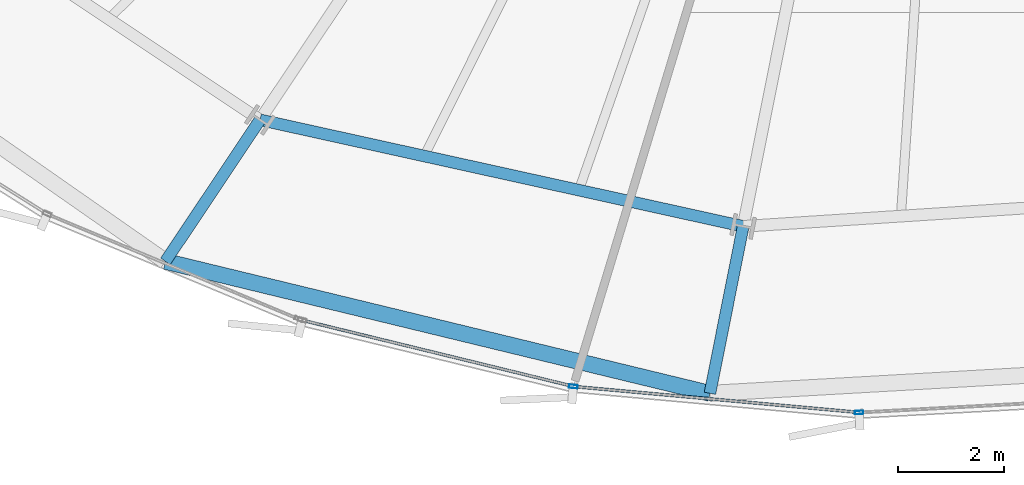
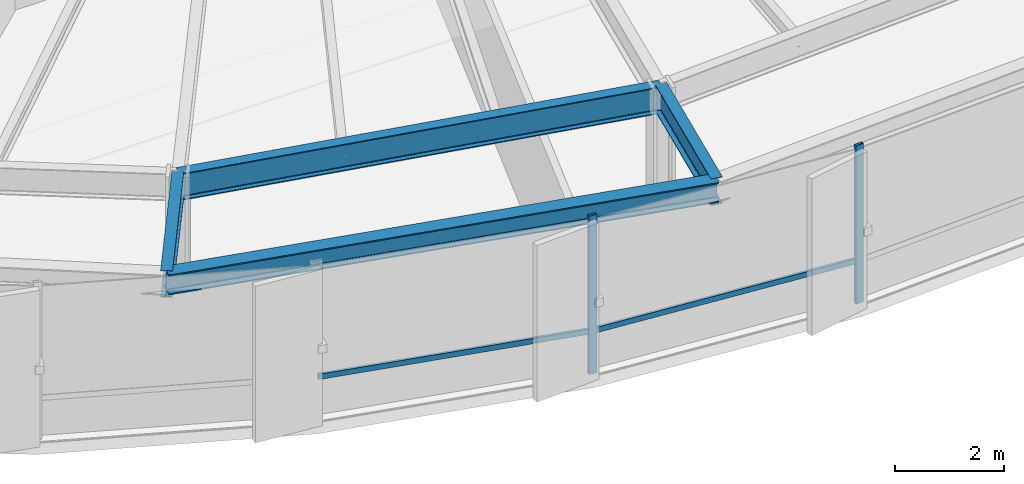
# One storey, part 5 of 37: 4 beams, 4 members, 1 element without a shape of its own.
"""IFC4 building model written with IfcOpenShell, lengths in metres."""

from ifc_helpers import new_model, si_unit, direction, frame, origin, origin_2d, place, context, subcontext, project, spatial, hollow_rectangle, i_section, extrude, source, transform, mapped, material, layer, layer_set, material_profile, profile_set, type_object, element, aggregate, save


model = new_model("IFC4")

# Units and contexts
model_context = context("Model", 3, precision=1e-05, world=origin(), true_north=direction((0.0, 1.0)))
body_context = subcontext(model_context, "Body", "Model", "MODEL_VIEW")
ifc_project = project(units=[si_unit("LENGTHUNIT", "METRE"), si_unit("AREAUNIT", "SQUARE_METRE"), si_unit("VOLUMEUNIT", "CUBIC_METRE"), si_unit("PLANEANGLEUNIT", "RADIAN"), si_unit("MASSUNIT", "GRAM", prefix="KILO"), si_unit("THERMODYNAMICTEMPERATUREUNIT", "KELVIN")], contexts=[model_context])

# Site, building, storey
site_placement = place(None, origin())
site = spatial("IfcSite", under=ifc_project, at=site_placement, CompositionType="ELEMENT")
building_placement = place(site_placement, origin())
building = spatial("IfcBuilding", under=site, at=building_placement, Name="Kethvar Cultural Tower", CompositionType="ELEMENT")
storey_placement = place(building_placement, frame((0.0, 0.0, 60.0)))
storey = spatial("IfcBuildingStorey", under=building, at=storey_placement, Name="L14", CompositionType="ELEMENT", Elevation=60.0)

# Beams
ifc_material_1 = material(Name="Steel S355J2", Category="steel")
ifc_material_profile_1 = material_profile(ifc_material_1, i_section(OverallWidth=0.219970703125, OverallDepth=0.60009765625, WebThickness=0.011962890625, FlangeThickness=0.01904296875, FilletRadius=0.02392578125, at=origin_2d()), Name="Steel S355J2 — IPE600")
ifc_profile_set_1 = profile_set([ifc_material_profile_1], Name="Steel S355J2 — IPE600")
beam_type_1 = type_object("IfcBeamType", Name="BM-IPE600", PredefinedType="BEAM", material=ifc_profile_set_1)
shared_shape_1 = source(origin(), body_context, "Body", "SweptSolid", [
    extrude(i_section(OverallWidth=0.219970703125, OverallDepth=0.60009765625, WebThickness=0.011962890625, FlangeThickness=0.01904296875, FilletRadius=0.02392578125, at=origin_2d()), origin(), (0.0, 0.0, 1.0), 3.2001953125),
])
beam_1_placement = place(storey_placement, frame((42.38330078125, 5.59619140625, 3.248046875), z_axis=(-0.195074368086, -0.980788453702, 0.0), x_axis=(0.980788453702, -0.195074368086, 0.0)))
element("IfcBeam", 1, at=beam_1_placement, inside=storey, type_object=beam_type_1, Name="L14 Perimeter Cantilever Beam RC-12", PredefinedType="BEAM", context=body_context, shape_type="MappedRepresentation", body=[
    mapped(shared_shape_1, transform((0.0, 0.0, 0.0), scale=1.0)),
])
shared_shape_2 = source(origin(), body_context, "Body", "SweptSolid", [
    extrude(i_section(OverallWidth=0.219970703125, OverallDepth=0.60009765625, WebThickness=0.011962890625, FlangeThickness=0.01904296875, FilletRadius=0.02392578125, at=origin_2d()), origin(), (0.0, 0.0, 1.0), 3.199951171875),
])
beam_2_placement = place(storey_placement, frame((33.302001953125, 7.598876953125, 3.248046875), z_axis=(-0.555580212716, -0.831462943996, 0.0), x_axis=(0.831462943996, -0.555580212716, 0.0)))
element("IfcBeam", 2, at=beam_2_placement, inside=storey, type_object=beam_type_1, Name="L14 Perimeter Cantilever Beam RC-11", PredefinedType="BEAM", context=body_context, shape_type="MappedRepresentation", body=[
    mapped(shared_shape_2, transform((0.0, 0.0, 0.0), scale=1.0)),
])
shared_shape_3 = source(origin(), body_context, "Body", "SweptSolid", [
    extrude(i_section(OverallWidth=0.219970703125, OverallDepth=0.60009765625, WebThickness=0.011962890625, FlangeThickness=0.01904296875, FilletRadius=0.02392578125, at=origin_2d()), origin(), (0.0, 0.0, 1.0), 9.299560546875),
])
beam_3_placement = place(storey_placement, frame((33.302001953125, 7.598876953125, 3.248046875), z_axis=(0.976536034872, -0.21535406334, 0.0), x_axis=(0.21535406334, 0.976536034872, 0.0)))
element("IfcBeam", 3, at=beam_3_placement, inside=storey, type_object=beam_type_1, Name="L14 Column Ring Tie Beam CR-11", PredefinedType="BEAM", context=body_context, shape_type="MappedRepresentation", body=[
    mapped(shared_shape_3, transform((0.0, 0.0, 0.0), scale=1.0)),
])
ifc_material_profile_2 = material_profile(ifc_material_1, i_section(OverallWidth=0.300048828125, OverallDepth=0.449951171875, WebThickness=0.013916015625, FlangeThickness=0.02587890625, FilletRadius=0.027099609375, at=origin_2d()), Name="Steel S355J2 — HEB450")
ifc_profile_set_2 = profile_set([ifc_material_profile_2], Name="Steel S355J2 — HEB450")
beam_type_2 = type_object("IfcBeamType", Name="BM-SP450", PredefinedType="SPANDREL", material=ifc_profile_set_2)
shared_shape_4 = source(origin(), body_context, "Body", "SweptSolid", [
    extrude(i_section(OverallWidth=0.300048828125, OverallDepth=0.449951171875, WebThickness=0.013916015625, FlangeThickness=0.02587890625, FilletRadius=0.027099609375, at=origin_2d()), origin(), (0.0, 0.0, 1.0), 10.53125),
])
beam_4_placement = place(storey_placement, frame((31.524169921875, 4.938232421875, 3.322998046875), z_axis=(0.971860238373, -0.235558224372, 0.0), x_axis=(0.235558224372, 0.971860238373, 0.0)))
element("IfcBeam", 4, at=beam_4_placement, inside=storey, type_object=beam_type_2, Name="L14 Perimeter Spandrel Beam SP-11", PredefinedType="SPANDREL", context=body_context, shape_type="MappedRepresentation", body=[
    mapped(shared_shape_4, transform((0.0, 0.0, 0.0), scale=1.0)),
])

# Curtain wall, members
ifc_material_2 = material(Name="Aluminium 6063-T6", Category="aluminium")
ifc_layer = layer(ifc_material_2, 0.179931640625, Name="Aluminium 6063-T6", Category="aluminium")
ifc_layer_set = layer_set([ifc_layer], Name="Aluminium 6063-T6 (180 mm)")
curtain_wall_type = type_object("IfcCurtainWallType", Name="CW-SYS-02-Z1", PredefinedType="NOTDEFINED", material=ifc_layer_set)
curtain_wall_placement = place(storey_placement, origin())
curtain_wall = element("IfcCurtainWall", 5, at=curtain_wall_placement, inside=storey, type_object=curtain_wall_type, Name="L14 Curtain Wall Run 05", PredefinedType="NOTDEFINED")
ifc_material_profile_3 = material_profile(ifc_material_2, hollow_rectangle(XDim=0.06494140625, YDim=0.159912109375, WallThickness=0.0048828125, at=origin_2d()), Name="Aluminium 6063-T6 — RHS160x65x5")
ifc_profile_set_3 = profile_set([ifc_material_profile_3], Name="Aluminium 6063-T6 — RHS160x65x5")
member_type_1 = type_object("IfcMemberType", Name="CW-SYS-02-Z1-MUL", PredefinedType="MULLION", material=ifc_profile_set_3)
shared_shape_5 = source(origin(), body_context, "Body", "SweptSolid", [
    extrude(hollow_rectangle(XDim=0.06494140625, YDim=0.159912109375, WallThickness=0.0048828125, at=origin_2d()), origin(), (0.0, 0.0, 1.0), 3.550048828125),
])
member_1_placement = place(storey_placement, frame((39.191162109375, 2.586669921875, 0.0), z_axis=(0.0, 0.0, 1.0), x_axis=(0.09044138245, 0.995901780469, 0.0)))
member_1 = element("IfcMember", 6, at=member_1_placement, type_object=member_type_1, Name="CW-L14-R05 Mullion 2", PredefinedType="MULLION", context=body_context, shape_type="MappedRepresentation", body=[
    mapped(shared_shape_5, transform((0.0, 0.0, 0.0), scale=1.0)),
])
member_2_placement = place(storey_placement, frame((44.56201171875, 2.09765625, 0.0), z_axis=(0.0, 0.0, 1.0), x_axis=(-0.054043957447, 0.998538557425, 0.0)))
member_2 = element("IfcMember", 7, at=member_2_placement, type_object=member_type_1, Name="CW-L14-R05 Mullion 3", PredefinedType="MULLION", context=body_context, shape_type="MappedRepresentation", body=[
    mapped(shared_shape_5, transform((0.0, 0.0, 0.0), scale=1.0)),
])
ifc_material_profile_4 = material_profile(ifc_material_2, hollow_rectangle(XDim=0.054931640625, YDim=0.1201171875, WallThickness=0.00390625, at=origin_2d()), Name="Aluminium 6063-T6 — RHS120x55x4")
ifc_profile_set_4 = profile_set([ifc_material_profile_4], Name="Aluminium 6063-T6 — RHS120x55x4")
member_type_2 = type_object("IfcMemberType", Name="CW-SYS-02-Z1-TRN", PredefinedType="USERDEFINED", material=ifc_profile_set_4)
shared_shape_6 = source(origin(), body_context, "Body", "SweptSolid", [
    extrude(hollow_rectangle(XDim=0.054931640625, YDim=0.1201171875, WallThickness=0.00390625, at=origin_2d()), origin(), (0.0, 0.0, 1.0), 5.214599609375),
])
member_3_placement = place(storey_placement, frame((34.09716796875, 3.83154296875, 0.949951171875), z_axis=(0.971466161616, -0.237178196373, 0.0), x_axis=(0.237178196373, 0.971466161616, 0.0)))
member_3 = element("IfcMember", 8, at=member_3_placement, type_object=member_type_2, Name="CW-L14-R05 Transom 1", ObjectType="TRANSOM", PredefinedType="USERDEFINED", context=body_context, shape_type="MappedRepresentation", body=[
    mapped(shared_shape_6, transform((0.0, 0.0, 0.0), scale=1.0)),
])
shared_shape_7 = source(origin(), body_context, "Body", "SweptSolid", [
    extrude(hollow_rectangle(XDim=0.054931640625, YDim=0.1201171875, WallThickness=0.00390625, at=origin_2d()), origin(), (0.0, 0.0, 1.0), 5.316650390625),
])
member_4_placement = place(storey_placement, frame((39.23779296875, 2.58251953125, 0.949951171875), z_axis=(0.995899978673, -0.090461220859, 0.0), x_axis=(0.090461220859, 0.995899978673, 0.0)))
member_4 = element("IfcMember", 9, at=member_4_placement, type_object=member_type_2, Name="CW-L14-R05 Transom 2", ObjectType="TRANSOM", PredefinedType="USERDEFINED", context=body_context, shape_type="MappedRepresentation", body=[
    mapped(shared_shape_7, transform((0.0, 0.0, 0.0), scale=1.0)),
])
aggregate(curtain_wall, [member_1, member_2, member_3, member_4])

save(model, "model.ifc")
